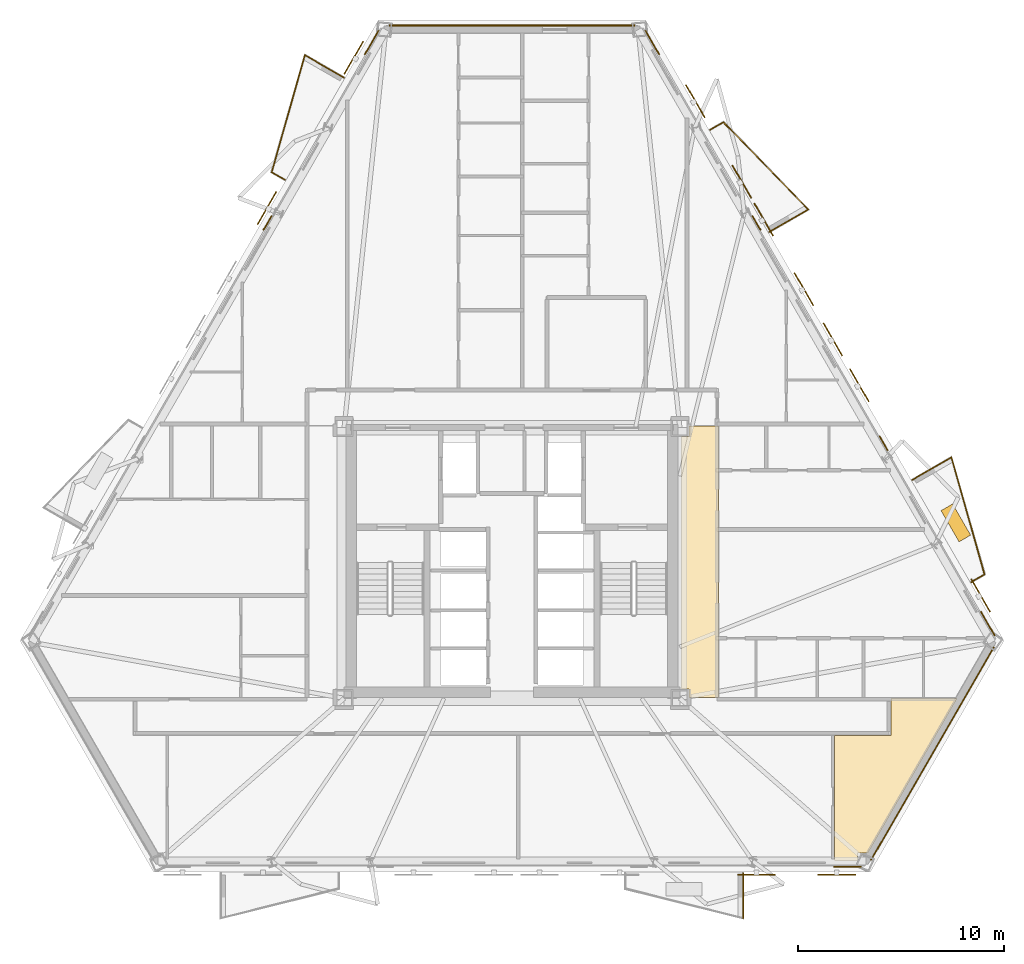
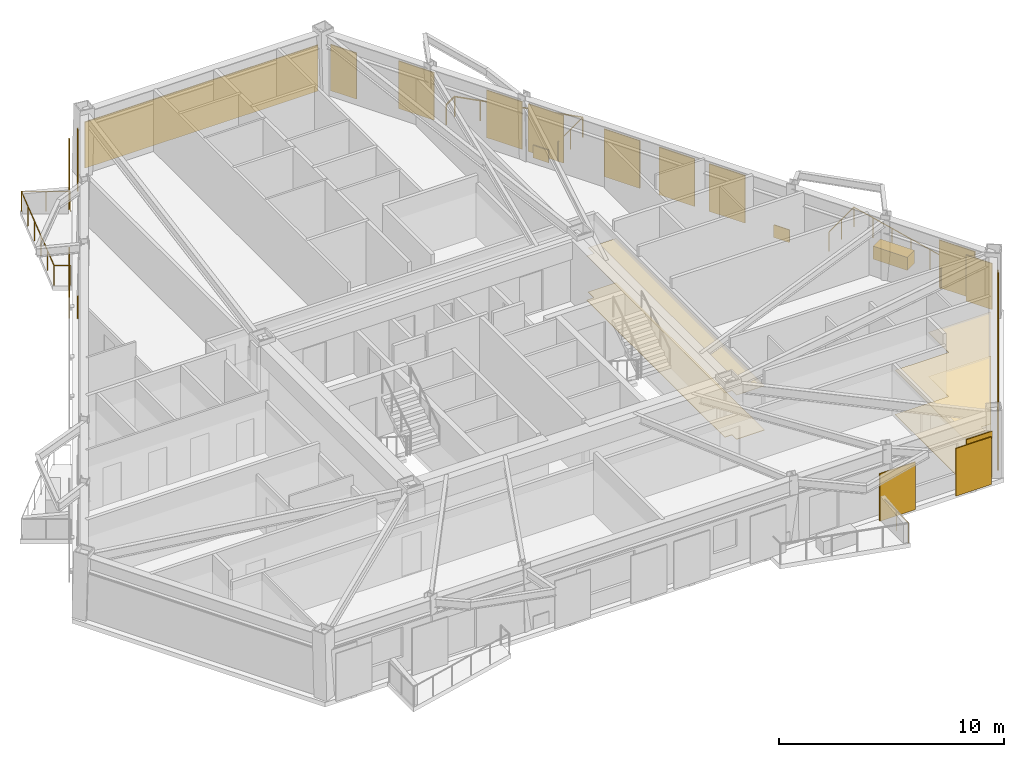
# One storey, part 11 of 11: 14 coverings, 11 shading devices, 10 railings.
"""IFC4 building model written with IfcOpenShell, lengths in metres."""

from ifc_helpers import new_model, si_unit, direction, frame, origin, origin_2d, place, context, subcontext, project, spatial, polyline, rectangle, circle, outline, extrude, material, layer, layer_set, type_object, element, save


model = new_model("IFC4")

# Units and contexts
model_context = context("Model", 3, precision=1e-05, world=origin(), true_north=direction((0.0, 1.0)))
body_context = subcontext(model_context, "Body", "Model", "MODEL_VIEW")
ifc_project = project(units=[si_unit("LENGTHUNIT", "METRE"), si_unit("AREAUNIT", "SQUARE_METRE"), si_unit("VOLUMEUNIT", "CUBIC_METRE"), si_unit("PLANEANGLEUNIT", "RADIAN"), si_unit("MASSUNIT", "GRAM", prefix="KILO")], contexts=[model_context])

# Site, building, storey
site_placement = place(None, origin())
site = spatial("IfcSite", under=ifc_project, at=site_placement, CompositionType="ELEMENT")
building_placement = place(site_placement, origin())
building = spatial("IfcBuilding", under=site, at=building_placement, Name="Oramaril Tower", CompositionType="ELEMENT")
storey_placement = place(building_placement, frame((0.0, 0.0, 89.699951171875)))
storey = spatial("IfcBuildingStorey", under=building, at=storey_placement, Name="L23", CompositionType="ELEMENT", Elevation=89.699951171875)

# Coverings
ifc_material_1 = material(Name="Mineral Fibre Acoustic Ceiling")
ifc_layer_1 = layer(ifc_material_1, 0.02001953125)
ifc_layer_set_1 = layer_set([ifc_layer_1], Name="CVT-CEIL")
covering_type_1 = type_object("IfcCoveringType", Name="CVT-CEIL", PredefinedType="CEILING", material=ifc_layer_set_1)
covering_1_placement = place(storey_placement, frame((0.0, 0.0, 2.400146484375)))
element("IfcCovering", 1, at=covering_1_placement, inside=storey, type_object=covering_type_1, Name="L23 Acoustic Suspended Ceiling 4", PredefinedType="CEILING", context=body_context, shape_type="SweptSolid", body=[
    extrude(outline(polyline([(47.530029296875, 11.050048828125), (46.094970703125, 11.050048828125), (46.094970703125, 11.445068359375), (45.719970703125, 11.445068359375), (45.719970703125, 23.705078125), (46.094970703125, 23.705078125), (46.094970703125, 24.219970703125), (47.530029296875, 24.219970703125), (47.530029296875, 11.050048828125)])), origin(), (0.0, 0.0, 1.0), 0.02001953125),
])
covering_2_placement = place(storey_placement, frame((0.0, 0.0, 2.400146484375)))
element("IfcCovering", 2, at=covering_2_placement, inside=storey, type_object=covering_type_1, Name="L23 Acoustic Suspended Ceiling 9", PredefinedType="CEILING", context=body_context, shape_type="SweptSolid", body=[
    extrude(outline(polyline([(59.114990234375, 10.991943359375), (54.77783203125, 3.47998046875), (54.267333984375, 3.47998046875), (54.267333984375, 3.128662109375), (53.15625, 3.128662109375), (53.15625, 9.199951171875), (55.8798828125, 9.199951171875), (55.882080078125, 9.2001953125), (55.8837890625, 9.200439453125), (55.8857421875, 9.200927734375), (55.8876953125, 9.201416015625), (55.889404296875, 9.202392578125), (55.89111328125, 9.203369140625), (55.892578125, 9.20458984375), (55.89404296875, 9.205810546875), (55.8955078125, 9.207275390625), (55.896484375, 9.208984375), (55.897705078125, 9.210693359375), (55.8984375, 9.21240234375), (55.899169921875, 9.214111328125), (55.899658203125, 9.216064453125), (55.89990234375, 9.218017578125), (55.89990234375, 9.219970703125), (55.89990234375, 10.991943359375), (59.114990234375, 10.991943359375)])), origin(), (0.0, 0.0, 1.0), 0.02001953125),
])
ifc_material_2 = material(Name="Warm Cream Limestone", Category="masonry")
ifc_layer_2 = layer(ifc_material_2, 0.050048828125)
ifc_layer_set_2 = layer_set([ifc_layer_2], Name="CVT-CLD")
covering_type_2 = type_object("IfcCoveringType", Name="CVT-CLD", PredefinedType="CLADDING", material=ifc_layer_set_2)
covering_3_placement = place(storey_placement, frame((53.787353515625, 2.82763671875, 0.0400390625), z_axis=(0.0, 0.0, 1.0), x_axis=(1.0, 0.0, 0.0)))
element("IfcCovering", 3, at=covering_3_placement, inside=storey, type_object=covering_type_2, Name="L23 Warm Cream Limestone Cladding", PredefinedType="CLADDING", context=body_context, shape_type="SweptSolid", body=[
    extrude(rectangle(XDim=1.35009765625, YDim=0.050048828125, at=origin_2d()), origin(), (0.0, 0.0, 1.0), 2.498046875),
])
covering_4_placement = place(storey_placement, frame((57.915771484375, 8.31298828125, 0.0400390625), z_axis=(0.0, 0.0, 1.0), x_axis=(0.5, 0.866025403784, 0.0)))
element("IfcCovering", 4, at=covering_4_placement, inside=storey, type_object=covering_type_2, Name="L23 Warm Cream Limestone Cladding", PredefinedType="CLADDING", context=body_context, shape_type="SweptSolid", body=[
    extrude(rectangle(XDim=11.945068359375, YDim=0.050048828125, at=origin_2d()), origin(), (0.0, 0.0, 1.0), 2.498046875),
])
for number, where, z_axis, x_axis, name in (
    (5, (60.601806640625, 14.630859375, 0.0400390625), (0.0, 0.0, 1.0), (-0.5, 0.866025403784, 0.0), "L23 Warm Cream Limestone Cladding"),
    (6, (44.314697265625, 42.84130859375, 0.0400390625), (0.0, 0.0, 1.0), (-0.5, 0.866025403784, 0.0), "L23 Warm Cream Limestone Cladding"),
):
    element("IfcCovering", number, at=place(storey_placement, frame(where, z_axis=z_axis, x_axis=x_axis)), inside=storey, type_object=covering_type_2, Name=name, PredefinedType="CLADDING", context=body_context, shape_type="SweptSolid", body=[
        extrude(rectangle(XDim=1.35009765625, YDim=0.050048828125, at=origin_2d()), origin(), (0.0, 0.0, 1.0), 2.498046875),
    ])
for number, where, z_axis, x_axis, name in (
    (7, (55.54296875, 23.393310546875, 0.0400390625), (0.0, 0.0, 1.0), (-0.5, 0.866025403784, 0.0), "L23 Warm Cream Limestone Spandrel Cladding"),
    (8, (49.37353515625, 34.0791015625, 0.0400390625), (0.0, 0.0, 1.0), (-0.5, 0.866025403784, 0.0), "L23 Warm Cream Limestone Spandrel Cladding"),
):
    element("IfcCovering", number, at=place(storey_placement, frame(where, z_axis=z_axis, x_axis=x_axis)), inside=storey, type_object=covering_type_2, Name=name, PredefinedType="CLADDING", context=body_context, shape_type="SweptSolid", body=[
        extrude(rectangle(XDim=0.800048828125, YDim=0.050048828125, at=origin_2d()), origin(), (0.0, 0.0, 1.0), 0.679931640625),
    ])
covering_5_placement = place(storey_placement, frame((37.5, 43.674072265625, 0.0400390625), z_axis=(0.0, 0.0, 1.0), x_axis=(-1.0, 0.0, 0.0)))
element("IfcCovering", 9, at=covering_5_placement, inside=storey, type_object=covering_type_2, Name="L23 Warm Cream Limestone Cladding", PredefinedType="CLADDING", context=body_context, shape_type="SweptSolid", body=[
    extrude(rectangle(XDim=11.945068359375, YDim=0.050048828125, at=origin_2d()), origin(), (0.0, 0.0, 1.0), 2.498046875),
])
covering_6_placement = place(storey_placement, frame((30.685302734375, 42.84130859375, 0.0400390625), z_axis=(0.0, 0.0, 1.0), x_axis=(-0.5, -0.866025403784, 0.0)))
element("IfcCovering", 10, at=covering_6_placement, inside=storey, type_object=covering_type_2, Name="L23 Warm Cream Limestone Cladding", PredefinedType="CLADDING", context=body_context, shape_type="SweptSolid", body=[
    extrude(rectangle(XDim=1.35009765625, YDim=0.050048828125, at=origin_2d()), origin(), (0.0, 0.0, 1.0), 2.498046875),
])
covering_7_placement = place(storey_placement, frame((25.62646484375, 34.0791015625, 0.0400390625), z_axis=(0.0, 0.0, 1.0), x_axis=(-0.5, -0.866025403784, 0.0)))
element("IfcCovering", 11, at=covering_7_placement, inside=storey, type_object=covering_type_2, Name="L23 Warm Cream Limestone Spandrel Cladding", PredefinedType="CLADDING", context=body_context, shape_type="SweptSolid", body=[
    extrude(rectangle(XDim=0.800048828125, YDim=0.050048828125, at=origin_2d()), origin(), (0.0, 0.0, 1.0), 0.679931640625),
])
covering_8_placement = place(storey_placement, frame((59.052978515625, 19.52099609375, 0.0), z_axis=(0.0, 0.0, 1.0), x_axis=(-0.5, 0.866025403784, 0.0)))
element("IfcCovering", 12, at=covering_8_placement, inside=storey, type_object=covering_type_2, Name="L23 Structural Tree Planter Box L23-BAL-NE1", PredefinedType="CLADDING", context=body_context, shape_type="SweptSolid", body=[
    extrude(rectangle(XDim=1.75, YDim=0.64990234375, at=origin_2d()), origin(), (0.0, 0.0, 1.0), 0.699951171875),
])
ifc_material_3 = material(Name="Honed Quartzite Stone Flooring", Category="masonry")
ifc_layer_3 = layer(ifc_material_3, 0.02490234375)
ifc_layer_set_3 = layer_set([ifc_layer_3], Name="CVT-FLR")
covering_type_3 = type_object("IfcCoveringType", Name="CVT-FLR", PredefinedType="FLOORING", material=ifc_layer_set_3)
covering_9_placement = place(storey_placement, origin())
element("IfcCovering", 13, at=covering_9_placement, inside=storey, type_object=covering_type_3, Name="L23 Honed Stone Floor Finish 4", PredefinedType="FLOORING", context=body_context, shape_type="SweptSolid", body=[
    extrude(outline(polyline([(47.530029296875, 11.050048828125), (46.094970703125, 11.050048828125), (46.094970703125, 11.445068359375), (45.719970703125, 11.445068359375), (45.719970703125, 23.705078125), (46.094970703125, 23.705078125), (46.094970703125, 24.219970703125), (47.530029296875, 24.219970703125), (47.530029296875, 11.050048828125)])), origin(), (0.0, 0.0, 1.0), 0.025146484375),
])
covering_10_placement = place(storey_placement, origin())
element("IfcCovering", 14, at=covering_10_placement, inside=storey, type_object=covering_type_3, Name="L23 Honed Stone Floor Finish 9", PredefinedType="FLOORING", context=body_context, shape_type="SweptSolid", body=[
    extrude(outline(polyline([(59.114990234375, 10.991943359375), (54.77783203125, 3.47998046875), (54.267333984375, 3.47998046875), (54.267333984375, 3.128662109375), (53.15625, 3.128662109375), (53.15625, 9.199951171875), (55.8798828125, 9.199951171875), (55.882080078125, 9.2001953125), (55.8837890625, 9.200439453125), (55.8857421875, 9.200927734375), (55.8876953125, 9.201416015625), (55.889404296875, 9.202392578125), (55.89111328125, 9.203369140625), (55.892578125, 9.20458984375), (55.89404296875, 9.205810546875), (55.8955078125, 9.207275390625), (55.896484375, 9.208984375), (55.897705078125, 9.210693359375), (55.8984375, 9.21240234375), (55.899169921875, 9.214111328125), (55.899658203125, 9.216064453125), (55.89990234375, 9.218017578125), (55.89990234375, 9.219970703125), (55.89990234375, 10.991943359375), (59.114990234375, 10.991943359375)])), origin(), (0.0, 0.0, 1.0), 0.025146484375),
])

# Railings
ifc_material_4 = material(Name="Stainless Steel 316L", Category="steel")
railing_type = type_object("IfcRailingType", Name="RLT-GRD", PredefinedType="GUARDRAIL", material=ifc_material_4)
railing_1_placement = place(storey_placement, frame((48.718017578125, 2.5126953125, 0.0)))
element("IfcRailing", 15, at=railing_1_placement, inside=storey, type_object=railing_type, Name="L23 Balcony Guardrail L23-BAL-S2.1", PredefinedType="GUARDRAIL", context=body_context, shape_type="SweptSolid", body=[
    extrude(circle(Radius=0.02392578125, at=origin_2d()), frame((0.0, 0.0, 1.076171875), z_axis=(0.0, -1.0, 0.0), x_axis=(1.0, 0.0, 0.0)), (0.0, 0.0, 1.0), 2.192138671875),
    extrude(circle(Radius=0.02099609375, at=origin_2d()), origin(), (0.0, 0.0, 1.0), 1.052001953125),
    extrude(circle(Radius=0.02099609375, at=origin_2d()), frame((0.0, -1.09619140625, 0.0)), (0.0, 0.0, 1.0), 1.052001953125),
    extrude(circle(Radius=0.02099609375, at=origin_2d()), frame((0.0, -2.192138671875, 0.0)), (0.0, 0.0, 1.0), 1.052001953125),
])
railing_2_placement = place(storey_placement, frame((56.9375, 21.60791015625, 0.0)))
element("IfcRailing", 16, at=railing_2_placement, inside=storey, type_object=railing_type, Name="L23 Balcony Guardrail L23-BAL-NE1.1", PredefinedType="GUARDRAIL", context=body_context, shape_type="SweptSolid", body=[
    extrude(circle(Radius=0.02392578125, at=origin_2d()), frame((0.0, 0.0, 1.076171875), z_axis=(0.866048343933, 0.499960264392, 0.0), x_axis=(-0.499960264392, 0.866048343933, 0.0)), (0.0, 0.0, 1.0), 2.192138671875),
    extrude(circle(Radius=0.02099609375, at=origin_2d()), origin(), (0.0, 0.0, 1.0), 1.052001953125),
    extrude(circle(Radius=0.02099609375, at=origin_2d()), frame((0.94921875, 0.5478515625, 0.0)), (0.0, 0.0, 1.0), 1.052001953125),
    extrude(circle(Radius=0.02099609375, at=origin_2d()), frame((1.8984375, 1.095947265625, 0.0)), (0.0, 0.0, 1.0), 1.052001953125),
])
railing_3_placement = place(storey_placement, frame((58.8359375, 22.703857421875, 0.0)))
element("IfcRailing", 17, at=railing_3_placement, inside=storey, type_object=railing_type, Name="L23 Balcony Guardrail L23-BAL-NE1.2", PredefinedType="GUARDRAIL", context=body_context, shape_type="SweptSolid", body=[
    extrude(circle(Radius=0.02392578125, at=origin_2d()), frame((0.0, 0.0, 1.076171875), z_axis=(0.27224886544, -0.962226873074, 0.0), x_axis=(0.962226873074, 0.27224886544, 0.0)), (0.0, 0.0, 1.0), 5.910400390625),
    extrude(circle(Radius=0.02099609375, at=origin_2d()), origin(), (0.0, 0.0, 1.0), 1.052001953125),
    extrude(circle(Radius=0.02099609375, at=origin_2d()), frame((0.32177734375, -1.137451171875, 0.0)), (0.0, 0.0, 1.0), 1.052001953125),
    extrude(circle(Radius=0.02099609375, at=origin_2d()), frame((0.6435546875, -2.27490234375, 0.0)), (0.0, 0.0, 1.0), 1.052001953125),
    extrude(circle(Radius=0.02099609375, at=origin_2d()), frame((0.965576171875, -3.412353515625, 0.0)), (0.0, 0.0, 1.0), 1.052001953125),
    extrude(circle(Radius=0.02099609375, at=origin_2d()), frame((1.287353515625, -4.5498046875, 0.0)), (0.0, 0.0, 1.0), 1.052001953125),
    extrude(circle(Radius=0.02099609375, at=origin_2d()), frame((1.609130859375, -5.687255859375, 0.0)), (0.0, 0.0, 1.0), 1.052001953125),
])
railing_4_placement = place(storey_placement, frame((60.445068359375, 17.0166015625, 0.0)))
element("IfcRailing", 18, at=railing_4_placement, inside=storey, type_object=railing_type, Name="L23 Balcony Guardrail L23-BAL-NE1.3", PredefinedType="GUARDRAIL", context=body_context, shape_type="SweptSolid", body=[
    extrude(circle(Radius=0.02392578125, at=origin_2d()), frame((0.0, 0.0, 1.076171875), z_axis=(-0.865966403178, -0.500102178127, 0.0), x_axis=(0.500102178127, -0.865966403178, 0.0)), (0.0, 0.0, 1.0), 0.741943359375),
    extrude(circle(Radius=0.02099609375, at=origin_2d()), origin(), (0.0, 0.0, 1.0), 1.052001953125),
    extrude(circle(Radius=0.02099609375, at=origin_2d()), frame((-0.642578125, -0.37109375, 0.0)), (0.0, 0.0, 1.0), 1.052001953125),
])
railing_5_placement = place(storey_placement, frame((47.122314453125, 38.608642578125, 0.0)))
element("IfcRailing", 19, at=railing_5_placement, inside=storey, type_object=railing_type, Name="L23 Balcony Guardrail L23-BAL-NE2.1", PredefinedType="GUARDRAIL", context=body_context, shape_type="SweptSolid", body=[
    extrude(circle(Radius=0.02392578125, at=origin_2d()), frame((0.0, 0.0, 1.076171875), z_axis=(0.866026623601, 0.49999788721, 0.0), x_axis=(-0.49999788721, 0.866026623601, 0.0)), (0.0, 0.0, 1.0), 0.74169921875),
    extrude(circle(Radius=0.02099609375, at=origin_2d()), origin(), (0.0, 0.0, 1.0), 1.052001953125),
    extrude(circle(Radius=0.02099609375, at=origin_2d()), frame((0.642333984375, 0.370849609375, 0.0)), (0.0, 0.0, 1.0), 1.052001953125),
])
railing_6_placement = place(storey_placement, frame((47.7646484375, 38.9794921875, 0.0)))
element("IfcRailing", 20, at=railing_6_placement, inside=storey, type_object=railing_type, Name="L23 Balcony Guardrail L23-BAL-NE2.2", PredefinedType="GUARDRAIL", context=body_context, shape_type="SweptSolid", body=[
    extrude(circle(Radius=0.02392578125, at=origin_2d()), frame((0.0, 0.0, 1.076171875), z_axis=(0.697186915353, -0.716889395277, 0.0), x_axis=(0.716889395277, 0.697186915353, 0.0)), (0.0, 0.0, 1.0), 5.91064453125),
    extrude(circle(Radius=0.02099609375, at=origin_2d()), origin(), (0.0, 0.0, 1.0), 1.052001953125),
    extrude(circle(Radius=0.02099609375, at=origin_2d()), frame((0.82421875, -0.847412109375, 0.0)), (0.0, 0.0, 1.0), 1.052001953125),
    extrude(circle(Radius=0.02099609375, at=origin_2d()), frame((1.6484375, -1.69482421875, 0.0)), (0.0, 0.0, 1.0), 1.052001953125),
    extrude(circle(Radius=0.02099609375, at=origin_2d()), frame((2.472412109375, -2.54248046875, 0.0)), (0.0, 0.0, 1.0), 1.052001953125),
    extrude(circle(Radius=0.02099609375, at=origin_2d()), frame((3.296630859375, -3.389892578125, 0.0)), (0.0, 0.0, 1.0), 1.052001953125),
    extrude(circle(Radius=0.02099609375, at=origin_2d()), frame((4.120849609375, -4.2373046875, 0.0)), (0.0, 0.0, 1.0), 1.052001953125),
])
railing_7_placement = place(storey_placement, frame((51.885498046875, 34.7421875, 0.0)))
element("IfcRailing", 21, at=railing_7_placement, inside=storey, type_object=railing_type, Name="L23 Balcony Guardrail L23-BAL-NE2.3", PredefinedType="GUARDRAIL", context=body_context, shape_type="SweptSolid", body=[
    extrude(circle(Radius=0.02392578125, at=origin_2d()), frame((0.0, 0.0, 1.076171875), z_axis=(-0.866020500697, -0.5000084923, 0.0), x_axis=(0.5000084923, -0.866020500697, 0.0)), (0.0, 0.0, 1.0), 2.19189453125),
    extrude(circle(Radius=0.02099609375, at=origin_2d()), origin(), (0.0, 0.0, 1.0), 1.052001953125),
    extrude(circle(Radius=0.02099609375, at=origin_2d()), frame((-0.94921875, -0.5478515625, 0.0)), (0.0, 0.0, 1.0), 1.052001953125),
    extrude(circle(Radius=0.02099609375, at=origin_2d()), frame((-1.898193359375, -1.095947265625, 0.0)), (0.0, 0.0, 1.0), 1.052001953125),
])
railing_8_placement = place(storey_placement, frame((26.475341796875, 36.179443359375, 0.0)))
element("IfcRailing", 22, at=railing_8_placement, inside=storey, type_object=railing_type, Name="L23 Balcony Guardrail L23-BAL-NW1.1", PredefinedType="GUARDRAIL", context=body_context, shape_type="SweptSolid", body=[
    extrude(circle(Radius=0.02392578125, at=origin_2d()), frame((0.0, 0.0, 1.076171875), z_axis=(-0.865966403178, 0.500102178127, 0.0), x_axis=(-0.500102178127, -0.865966403178, 0.0)), (0.0, 0.0, 1.0), 0.741943359375),
    extrude(circle(Radius=0.02099609375, at=origin_2d()), origin(), (0.0, 0.0, 1.0), 1.052001953125),
    extrude(circle(Radius=0.02099609375, at=origin_2d()), frame((-0.642578125, 0.37109375, 0.0)), (0.0, 0.0, 1.0), 1.052001953125),
])
railing_9_placement = place(storey_placement, frame((25.832763671875, 36.550537109375, 0.0)))
element("IfcRailing", 23, at=railing_9_placement, inside=storey, type_object=railing_type, Name="L23 Balcony Guardrail L23-BAL-NW1.2", PredefinedType="GUARDRAIL", context=body_context, shape_type="SweptSolid", body=[
    extrude(circle(Radius=0.02392578125, at=origin_2d()), frame((0.0, 0.0, 1.076171875), z_axis=(0.27224886544, 0.962226873074, 0.0), x_axis=(-0.962226873074, 0.27224886544, 0.0)), (0.0, 0.0, 1.0), 5.910400390625),
    extrude(circle(Radius=0.02099609375, at=origin_2d()), origin(), (0.0, 0.0, 1.0), 1.052001953125),
    extrude(circle(Radius=0.02099609375, at=origin_2d()), frame((0.32177734375, 1.137451171875, 0.0)), (0.0, 0.0, 1.0), 1.052001953125),
    extrude(circle(Radius=0.02099609375, at=origin_2d()), frame((0.6435546875, 2.27490234375, 0.0)), (0.0, 0.0, 1.0), 1.052001953125),
    extrude(circle(Radius=0.02099609375, at=origin_2d()), frame((0.965576171875, 3.412353515625, 0.0)), (0.0, 0.0, 1.0), 1.052001953125),
    extrude(circle(Radius=0.02099609375, at=origin_2d()), frame((1.287353515625, 4.5498046875, 0.0)), (0.0, 0.0, 1.0), 1.052001953125),
    extrude(circle(Radius=0.02099609375, at=origin_2d()), frame((1.609130859375, 5.687255859375, 0.0)), (0.0, 0.0, 1.0), 1.052001953125),
])
railing_10_placement = place(storey_placement, frame((27.44189453125, 42.23779296875, 0.0)))
element("IfcRailing", 24, at=railing_10_placement, inside=storey, type_object=railing_type, Name="L23 Balcony Guardrail L23-BAL-NW1.3", PredefinedType="GUARDRAIL", context=body_context, shape_type="SweptSolid", body=[
    extrude(circle(Radius=0.02392578125, at=origin_2d()), frame((0.0, 0.0, 1.076171875), z_axis=(0.866000118559, -0.500043792738, 0.0), x_axis=(0.500043792738, 0.866000118559, 0.0)), (0.0, 0.0, 1.0), 2.192138671875),
    extrude(circle(Radius=0.02099609375, at=origin_2d()), origin(), (0.0, 0.0, 1.0), 1.052001953125),
    extrude(circle(Radius=0.02099609375, at=origin_2d()), frame((0.94921875, -0.548095703125, 0.0)), (0.0, 0.0, 1.0), 1.052001953125),
    extrude(circle(Radius=0.02099609375, at=origin_2d()), frame((1.8984375, -1.09619140625, 0.0)), (0.0, 0.0, 1.0), 1.052001953125),
])

# Shading devices
for number, where, z_axis, x_axis, name in (
    (25, (49.369873046875, 2.440673828125, -0.02001953125), (0.0, 0.0, 1.0), (1.0, 0.0, 0.0), "L23 Perforated Ceramic Solar Screen"),
    (26, (53.27001953125, 2.440673828125, -0.02001953125), (0.0, 0.0, 1.0), (1.0, 0.0, 0.0), "L23 Perforated Ceramic Solar Screen"),
    (27, (60.25830078125, 16.0, -0.02001953125), (0.0, 0.0, 1.0), (-0.5, 0.866025403784, 0.0), "L23 Perforated Ceramic Solar Screen"),
    (28, (46.402099609375, 39.999755859375, -0.02001953125), (0.0, 0.0, 1.0), (-0.5, 0.866025403784, 0.0), "L23 Perforated Ceramic Solar Screen"),
    (29, (51.673095703125, 30.8701171875, -0.02001953125), (0.0, 0.0, 1.0), (-0.5, 0.866025403784, 0.0), "L23 Perforated Ceramic Solar Screen"),
    (30, (49.72314453125, 34.24755859375, -0.02001953125), (0.0, 0.0, 1.0), (-0.5, 0.866025403784, 0.0), "L23 Perforated Ceramic Solar Screen"),
    (31, (48.6591796875, 36.090087890625, -0.02001953125), (0.0, 0.0, 1.0), (-0.5, 0.866025403784, 0.0), "L23 Perforated Ceramic Solar Screen"),
    (32, (54.369384765625, 26.2001953125, -0.02001953125), (0.0, 0.0, 1.0), (-0.5, 0.866025403784, 0.0), "L23 Perforated Ceramic Solar Screen"),
    (33, (53.08154296875, 28.430419921875, -0.02001953125), (0.0, 0.0, 1.0), (-0.5, 0.866025403784, 0.0), "L23 Perforated Ceramic Solar Screen"),
    (34, (25.601806640625, 34.810546875, -0.02001953125), (0.0, 0.0, 1.0), (-0.5, -0.866025403784, 0.0), "L23 Perforated Ceramic Solar Screen"),
    (35, (29.815185546875, 42.1083984375, -0.02001953125), (0.0, 0.0, 1.0), (-0.5, -0.866025403784, 0.0), "L23 Perforated Ceramic Solar Screen"),
):
    element("IfcShadingDevice", number, at=place(storey_placement, frame(where, z_axis=z_axis, x_axis=x_axis)), inside=storey, Name=name, ObjectType="SCREEN", PredefinedType="USERDEFINED", context=body_context, shape_type="SweptSolid", body=[
        extrude(rectangle(XDim=1.8330078125, YDim=0.050048828125, at=origin_2d()), origin(), (0.0, 0.0, 1.0), 2.577880859375),
    ])

save(model, "model.ifc")
